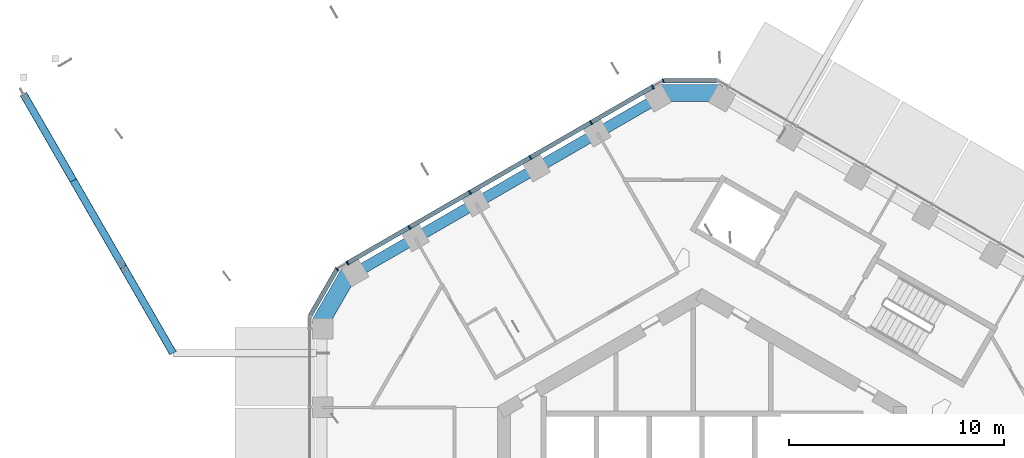
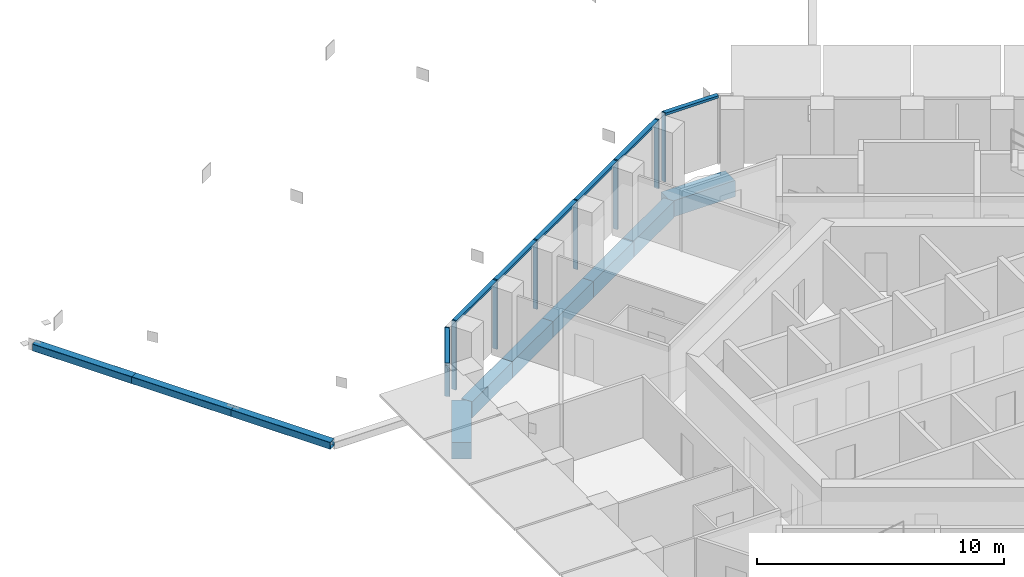
# One storey, part 5 of 21: 14 members, 7 beams, 3 elements without a shape of their own.
"""IFC4 building model written with IfcOpenShell, lengths in metres."""

from ifc_helpers import new_model, si_unit, direction, frame, origin, origin_2d, place, context, subcontext, project, spatial, rectangle, hollow_rectangle, extrude, material, layer, layer_set, material_profile, profile_set, type_object, element, aggregate, save


model = new_model("IFC4")

# Units and contexts
model_context = context("Model", 3, precision=1e-05, world=origin(), true_north=direction((0.0, 1.0)))
body_context = subcontext(model_context, "Body", "Model", "MODEL_VIEW")
ifc_project = project(units=[si_unit("LENGTHUNIT", "METRE"), si_unit("AREAUNIT", "SQUARE_METRE"), si_unit("VOLUMEUNIT", "CUBIC_METRE"), si_unit("PLANEANGLEUNIT", "RADIAN"), si_unit("MASSUNIT", "GRAM", prefix="KILO")], contexts=[model_context])

# Site, building, storey
site_placement = place(None, origin())
site = spatial("IfcSite", under=ifc_project, at=site_placement, CompositionType="ELEMENT")
building_placement = place(site_placement, origin())
building = spatial("IfcBuilding", under=site, at=building_placement, Name="Ayvan Gate Tower", CompositionType="ELEMENT")
storey_placement = place(building_placement, frame((0.0, 0.0, 183.300048828125)))
storey = spatial("IfcBuildingStorey", under=building, at=storey_placement, Name="L49", CompositionType="ELEMENT", Elevation=183.300048828125)

# Beams
ifc_material_1 = material(Name="Concrete C40/50", Category="concrete")
ifc_material_profile_1 = material_profile(ifc_material_1, rectangle(XDim=0.800048828125, YDim=0.800048828125, at=origin_2d()), Name="RC 800x800")
ifc_profile_set_1 = profile_set([ifc_material_profile_1], Name="Concrete C40/50")
beam_type_1 = type_object("IfcBeamType", Name="Corner spandrel beam RC 800x800 C40/50", PredefinedType="BEAM", material=ifc_profile_set_1)
for number, where, z_axis, x_axis, name in (
    (1, (0.97900390625, 20.05322265625, -0.75), (-1.0, 0.0, 0.0), (0.0, -1.0, 0.0), "SB-L49-12"),
    (2, (-16.35595703125, 11.77685546875, -0.75), (-0.499990139034, -0.866031096941, 0.0), (0.866031096941, -0.499990139034, 0.0), "SB-L49-18"),
):
    element("IfcBeam", number, at=place(storey_placement, frame(where, z_axis=z_axis, x_axis=x_axis)), inside=storey, type_object=beam_type_1, Name=name, PredefinedType="BEAM", context=body_context, shape_type="SweptSolid", body=[
        extrude(rectangle(XDim=0.800048828125, YDim=0.800048828125, at=origin_2d()), origin(), (0.0, 0.0, 1.0), 3.0),
    ])

# Members
ifc_material_2 = material(Name="Steel S460NH", Category="steel")
ifc_material_profile_2 = material_profile(ifc_material_2, hollow_rectangle(XDim=0.35009765625, YDim=0.35009765625, WallThickness=0.01416015625, InnerFilletRadius=0.01416015625, OuterFilletRadius=0.021240234375, at=origin_2d()), Name="RHS 350x350x14.2")
ifc_profile_set_2 = profile_set([ifc_material_profile_2], Name="Steel S460NH")
member_type_1 = type_object("IfcMemberType", Name="Sky bar truss brace B4 RHS 350x350x14.2", PredefinedType="BRACE", material=ifc_profile_set_2)
for number, where, z_axis, x_axis, name in (
    (3, (-24.579833984375, 7.963623046875, 2.675048828125), (-0.500009813861, 0.866019737675, 0.0), (-0.866019737675, -0.500009813861, 0.0), "SBX4-A-BC-2"),
    (4, (-26.896484375, 11.97607421875, 2.675048828125), (-0.499986997421, 0.866032910697, 0.0), (-0.866032910697, -0.499986997421, 0.0), "SBX4-A-BC-3"),
    (5, (-29.213134765625, 15.98876953125, 2.675048828125), (-0.500009813861, 0.866019737675, 0.0), (-0.866019737675, -0.500009813861, 0.0), "SBX4-A-BC-4"),
):
    element("IfcMember", number, at=place(storey_placement, frame(where, z_axis=z_axis, x_axis=x_axis)), inside=storey, type_object=member_type_1, Name=name, PredefinedType="CHORD", context=body_context, shape_type="SweptSolid", body=[
        extrude(hollow_rectangle(XDim=0.35009765625, YDim=0.35009765625, WallThickness=0.01416015625, InnerFilletRadius=0.01416015625, OuterFilletRadius=0.021240234375, at=origin_2d()), origin(), (0.0, 0.0, 1.0), 4.63330078125),
    ])

# Beams
ifc_material_profile_3 = material_profile(ifc_material_1, rectangle(XDim=0.5, YDim=0.800048828125, at=origin_2d()), Name="RC 500x800")
ifc_profile_set_3 = profile_set([ifc_material_profile_3], Name="Concrete C40/50")
beam_type_2 = type_object("IfcBeamType", Name="Spandrel beam RC 500x800 C40/50", PredefinedType="BEAM", material=ifc_profile_set_3)
for number, where, z_axis, x_axis, name in (
    (6, (-2.02099609375, 19.833251953125, -0.75), (-0.86601755775, -0.500013589484, 0.0), (0.500013589484, -0.86601755775, 0.0), "SB-L49-13"),
    (7, (-4.849853515625, 18.199951171875, -0.75), (-0.86601755775, -0.500013589484, 0.0), (0.500013589484, -0.86601755775, 0.0), "SB-L49-14"),
):
    element("IfcBeam", number, at=place(storey_placement, frame(where, z_axis=z_axis, x_axis=x_axis)), inside=storey, type_object=beam_type_2, Name=name, PredefinedType="BEAM", context=body_context, shape_type="SweptSolid", body=[
        extrude(rectangle(XDim=0.5, YDim=0.800048828125, at=origin_2d()), origin(), (0.0, 0.0, 1.0), 3.2666015625),
    ])
beam_placement = place(storey_placement, frame((-7.6787109375, 16.566650390625, -0.75), z_axis=(-0.866036242063, -0.49998122708, 0.0), x_axis=(0.49998122708, -0.866036242063, 0.0)))
element("IfcBeam", 8, at=beam_placement, inside=storey, type_object=beam_type_2, Name="SB-L49-15", PredefinedType="BEAM", context=body_context, shape_type="SweptSolid", body=[
    extrude(rectangle(XDim=0.5, YDim=0.800048828125, at=origin_2d()), origin(), (0.0, 0.0, 1.0), 3.266845703125),
])
for number, where, z_axis, x_axis, name in (
    (9, (-10.5078125, 14.933349609375, -0.75), (-0.86601755775, -0.500013589484, 0.0), (0.500013589484, -0.86601755775, 0.0), "SB-L49-16"),
    (10, (-13.336669921875, 13.300048828125, -0.75), (-0.86601755775, -0.500013589484, 0.0), (0.500013589484, -0.86601755775, 0.0), "SB-L49-17"),
):
    element("IfcBeam", number, at=place(storey_placement, frame(where, z_axis=z_axis, x_axis=x_axis)), inside=storey, type_object=beam_type_2, Name=name, PredefinedType="BEAM", context=body_context, shape_type="SweptSolid", body=[
        extrude(rectangle(XDim=0.5, YDim=0.800048828125, at=origin_2d()), origin(), (0.0, 0.0, 1.0), 3.2666015625),
    ])

# Curtain wall, members
ifc_material_3 = material(Name="Bronze anodised aluminium", Category="aluminium")
ifc_layer_1 = layer(ifc_material_3, 0.199951171875)
ifc_layer_set_1 = layer_set([ifc_layer_1], Name="Bronze anodised aluminium")
curtain_wall_type_1 = type_object("IfcCurtainWallType", Name="Stick curtain wall CW-2", PredefinedType="NOTDEFINED", material=ifc_layer_set_1)
curtain_wall_1_placement = place(storey_placement, origin())
curtain_wall_1 = element("IfcCurtainWall", 11, at=curtain_wall_1_placement, inside=storey, type_object=curtain_wall_type_1, Name="Stick curtain wall CW-2 L49", PredefinedType="NOTDEFINED")
ifc_material_profile_4 = material_profile(ifc_material_3, rectangle(XDim=0.199951171875, YDim=0.070068359375, at=origin_2d()), Name="Stick curtain wall CW-2 mullion 200 x 70")
ifc_profile_set_4 = profile_set([ifc_material_profile_4], Name="Bronze anodised aluminium")
member_type_2 = type_object("IfcMemberType", Name="Stick curtain wall CW-2 mullion 200 x 70", PredefinedType="MULLION", material=ifc_profile_set_4)
member_1_placement = place(storey_placement, frame((-2.286376953125, 20.343994140625, 0.0), z_axis=(0.0, 0.0, 1.0), x_axis=(-0.5, 0.866025403784, 0.0)))
member_1 = element("IfcMember", 12, at=member_1_placement, type_object=member_type_2, Name="CW-2 mullion 1", PredefinedType="MULLION", context=body_context, shape_type="SweptSolid", body=[
    extrude(rectangle(XDim=0.199951171875, YDim=0.070068359375, at=origin_2d()), origin(), (0.0, 0.0, 1.0), 3.39990234375),
])
member_2_placement = place(storey_placement, frame((-5.163330078125, 18.682861328125, 0.0), z_axis=(0.0, 0.0, 1.0), x_axis=(-0.5, 0.866025403784, 0.0)))
member_2 = element("IfcMember", 13, at=member_2_placement, type_object=member_type_2, Name="CW-2 mullion 2", PredefinedType="MULLION", context=body_context, shape_type="SweptSolid", body=[
    extrude(rectangle(XDim=0.199951171875, YDim=0.070068359375, at=origin_2d()), origin(), (0.0, 0.0, 1.0), 3.39990234375),
])
member_3_placement = place(storey_placement, frame((-7.975341796875, 17.059326171875, 0.0), z_axis=(0.0, 0.0, 1.0), x_axis=(-0.5, 0.866025403784, 0.0)))
member_3 = element("IfcMember", 14, at=member_3_placement, type_object=member_type_2, Name="CW-2 mullion 3", PredefinedType="MULLION", context=body_context, shape_type="SweptSolid", body=[
    extrude(rectangle(XDim=0.199951171875, YDim=0.070068359375, at=origin_2d()), origin(), (0.0, 0.0, 1.0), 3.39990234375),
])
member_4_placement = place(storey_placement, frame((-10.786376953125, 15.4365234375, 0.0), z_axis=(0.0, 0.0, 1.0), x_axis=(-0.5, 0.866025403784, 0.0)))
member_4 = element("IfcMember", 15, at=member_4_placement, type_object=member_type_2, Name="CW-2 mullion 4", PredefinedType="MULLION", context=body_context, shape_type="SweptSolid", body=[
    extrude(rectangle(XDim=0.199951171875, YDim=0.070068359375, at=origin_2d()), origin(), (0.0, 0.0, 1.0), 3.39990234375),
])
member_5_placement = place(storey_placement, frame((-13.598388671875, 13.81298828125, 0.0), z_axis=(0.0, 0.0, 1.0), x_axis=(-0.5, 0.866025403784, 0.0)))
member_5 = element("IfcMember", 16, at=member_5_placement, type_object=member_type_2, Name="CW-2 mullion 5", PredefinedType="MULLION", context=body_context, shape_type="SweptSolid", body=[
    extrude(rectangle(XDim=0.199951171875, YDim=0.070068359375, at=origin_2d()), origin(), (0.0, 0.0, 1.0), 3.39990234375),
])
member_6_placement = place(storey_placement, frame((-16.47509765625, 12.152099609375, 0.0), z_axis=(0.0, 0.0, 1.0), x_axis=(-0.5, 0.866025403784, 0.0)))
member_6 = element("IfcMember", 17, at=member_6_placement, type_object=member_type_2, Name="CW-2 mullion 6", PredefinedType="MULLION", context=body_context, shape_type="SweptSolid", body=[
    extrude(rectangle(XDim=0.199951171875, YDim=0.070068359375, at=origin_2d()), origin(), (0.0, 0.0, 1.0), 3.39990234375),
])
ifc_material_profile_5 = material_profile(ifc_material_3, rectangle(XDim=0.199951171875, YDim=0.1201171875, at=origin_2d()), Name="Stick curtain wall CW-2 transom 200 x 120")
ifc_profile_set_5 = profile_set([ifc_material_profile_5], Name="Bronze anodised aluminium")
member_type_3 = type_object("IfcMemberType", Name="Stick curtain wall CW-2 transom 200 x 120", PredefinedType="USERDEFINED", material=ifc_profile_set_5)
member_7_placement = place(storey_placement, frame((-2.286376953125, 20.343994140625, 3.33984375), z_axis=(-0.866024536532, -0.500001502122, 0.0), x_axis=(0.500001502122, -0.866024536532, 0.0)))
member_7 = element("IfcMember", 18, at=member_7_placement, type_object=member_type_3, Name="CW-2 transom 1", ObjectType="TRANSOM", PredefinedType="USERDEFINED", context=body_context, shape_type="SweptSolid", body=[
    extrude(rectangle(XDim=0.199951171875, YDim=0.1201171875, at=origin_2d()), origin(), (0.0, 0.0, 1.0), 16.3837890625),
])
aggregate(curtain_wall_1, [member_1, member_2, member_3, member_4, member_5, member_6, member_7])

# Curtain wall, member
ifc_layer_2 = layer(ifc_material_3, 0.199951171875)
ifc_layer_set_2 = layer_set([ifc_layer_2], Name="Bronze anodised aluminium")
curtain_wall_type_2 = type_object("IfcCurtainWallType", Name="Stick curtain wall CW-6", PredefinedType="NOTDEFINED", material=ifc_layer_set_2)
curtain_wall_2_placement = place(storey_placement, origin())
curtain_wall_2 = element("IfcCurtainWall", 19, at=curtain_wall_2_placement, inside=storey, type_object=curtain_wall_type_2, Name="Stick curtain wall CW-6 L49", PredefinedType="NOTDEFINED")
ifc_material_profile_6 = material_profile(ifc_material_3, rectangle(XDim=0.199951171875, YDim=0.050048828125, at=origin_2d()), Name="Stick curtain wall CW-6 mullion 200 x 50")
ifc_profile_set_6 = profile_set([ifc_material_profile_6], Name="Bronze anodised aluminium")
member_type_4 = type_object("IfcMemberType", Name="Stick curtain wall CW-6 mullion 200 x 50", PredefinedType="MULLION", material=ifc_profile_set_6)
member_8_placement = place(storey_placement, frame((-16.960205078125, 11.8720703125, 0.0), z_axis=(0.0, 0.0, 1.0), x_axis=(-0.707106781187, 0.707106781187, 0.0)))
member_8 = element("IfcMember", 20, at=member_8_placement, type_object=member_type_4, Name="CW-6 mullion 2", PredefinedType="MULLION", context=body_context, shape_type="SweptSolid", body=[
    extrude(rectangle(XDim=0.199951171875, YDim=0.050048828125, at=origin_2d()), origin(), (0.0, 0.0, 1.0), 3.39990234375),
])

curtain_wall_3_placement = place(storey_placement, origin())
curtain_wall_3 = element("IfcCurtainWall", 21, at=curtain_wall_3_placement, inside=storey, type_object=curtain_wall_type_2, Name="Stick curtain wall CW-6 L49", PredefinedType="NOTDEFINED")
member_9_placement = place(storey_placement, frame((-1.801513671875, 20.6240234375, 0.0), z_axis=(0.0, 0.0, 1.0), x_axis=(-0.258819045103, 0.965925826289, 0.0)))
member_9 = element("IfcMember", 22, at=member_9_placement, type_object=member_type_4, Name="CW-6 mullion 3", PredefinedType="MULLION", context=body_context, shape_type="SweptSolid", body=[
    extrude(rectangle(XDim=0.199951171875, YDim=0.050048828125, at=origin_2d()), origin(), (0.0, 0.0, 1.0), 3.39990234375),
])

# Member
ifc_material_profile_7 = material_profile(ifc_material_3, rectangle(XDim=0.199951171875, YDim=0.1201171875, at=origin_2d()), Name="Stick curtain wall CW-6 transom 200 x 120")
ifc_profile_set_7 = profile_set([ifc_material_profile_7], Name="Bronze anodised aluminium")
member_type_5 = type_object("IfcMemberType", Name="Stick curtain wall CW-6 transom 200 x 120", PredefinedType="USERDEFINED", material=ifc_profile_set_7)
member_10_placement = place(storey_placement, frame((-16.97265625, 11.850341796875, 3.33984375), z_axis=(-0.499986149909, -0.86603339999, 0.0), x_axis=(0.86603339999, -0.499986149909, 0.0)))
member_10 = element("IfcMember", 23, at=member_10_placement, type_object=member_type_5, Name="CW-6 transom 2", ObjectType="TRANSOM", PredefinedType="USERDEFINED", context=body_context, shape_type="SweptSolid", body=[
    extrude(rectangle(XDim=0.199951171875, YDim=0.1201171875, at=origin_2d()), origin(), (0.0, 0.0, 1.0), 2.484375),
])

aggregate(curtain_wall_2, [member_8, member_10])

member_11_placement = place(storey_placement, frame((0.708251953125, 20.6240234375, 3.33984375), z_axis=(-1.0, 0.0, 0.0), x_axis=(0.0, -1.0, 0.0)))
member_11 = element("IfcMember", 24, at=member_11_placement, type_object=member_type_5, Name="CW-6 transom 2", ObjectType="TRANSOM", PredefinedType="USERDEFINED", context=body_context, shape_type="SweptSolid", body=[
    extrude(rectangle(XDim=0.199951171875, YDim=0.1201171875, at=origin_2d()), origin(), (0.0, 0.0, 1.0), 2.484619140625),
])

aggregate(curtain_wall_3, [member_9, member_11])

save(model, "model.ifc")
